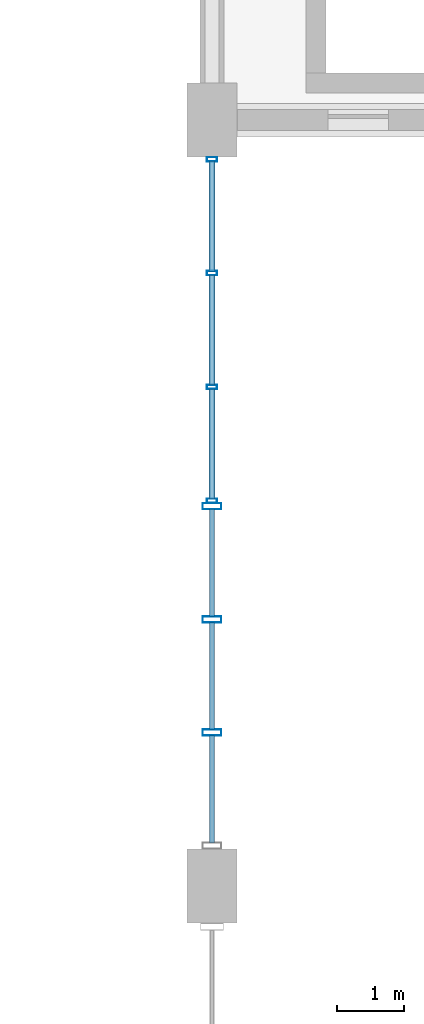
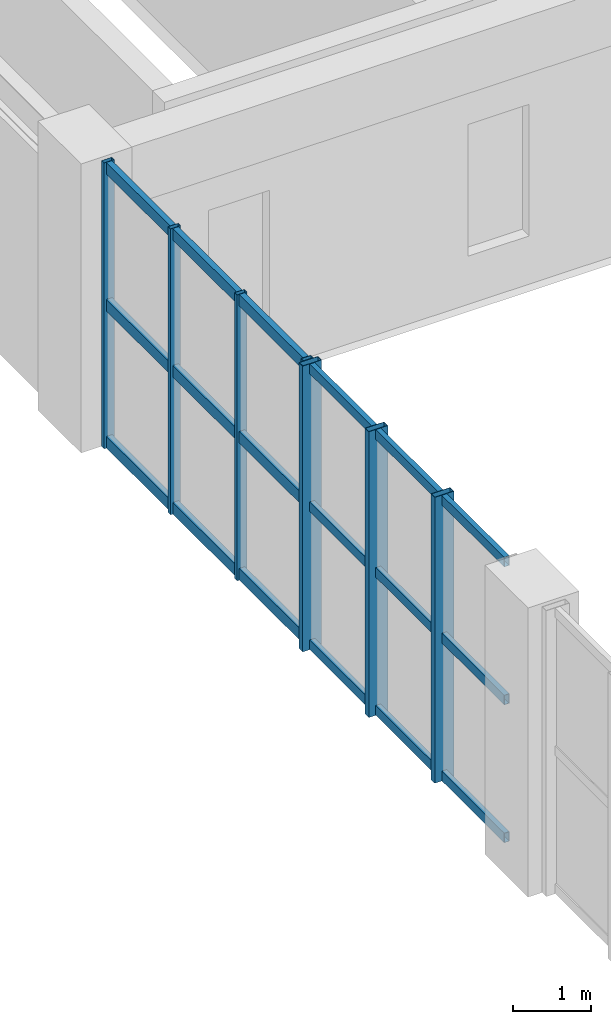
# One storey, part 16 of 48: 25 members, 2 elements without a shape of their own.
"""IFC4 building model written with IfcOpenShell, lengths in metres."""

from ifc_helpers import new_model, si_unit, direction, frame, origin, origin_2d, place, context, subcontext, project, spatial, hollow_rectangle, extrude, material, layer, layer_set, material_profile, profile_set, type_object, element, aggregate, save


model = new_model("IFC4")

# Units and contexts
model_context = context("Model", 3, precision=1e-05, world=origin(), true_north=direction((0.0, 1.0)))
body_context = subcontext(model_context, "Body", "Model", "MODEL_VIEW")
ifc_project = project(units=[si_unit("LENGTHUNIT", "METRE"), si_unit("AREAUNIT", "SQUARE_METRE"), si_unit("VOLUMEUNIT", "CUBIC_METRE"), si_unit("PLANEANGLEUNIT", "RADIAN"), si_unit("MASSUNIT", "GRAM", prefix="KILO"), si_unit("POWERUNIT", "WATT"), si_unit("THERMODYNAMICTEMPERATUREUNIT", "KELVIN")], contexts=[model_context])

# Site, building, storey
site_placement = place(None, origin())
site = spatial("IfcSite", under=ifc_project, at=site_placement, CompositionType="ELEMENT")
building_placement = place(site_placement, origin())
building = spatial("IfcBuilding", under=site, at=building_placement, Name="Kelmbourne Parkland Aquatics Centre", CompositionType="ELEMENT")
storey_placement = place(building_placement, frame((0.0, 0.0, 14.699951171875)))
storey = spatial("IfcBuildingStorey", under=building, at=storey_placement, Name="L03", CompositionType="ELEMENT", Elevation=14.699951171875)

# Curtain wall, members
ifc_material = material(Name="Thermally broken anodised aluminium framing", Category="aluminium")
ifc_layer_1 = layer(ifc_material, 0.179931640625)
ifc_layer_set_1 = layer_set([ifc_layer_1], Name="Thermally broken anodised aluminium framing")
curtain_wall_type_1 = type_object("IfcCurtainWallType", Name="CW-23", PredefinedType="NOTDEFINED", material=ifc_layer_set_1)
curtain_wall_1_placement = place(storey_placement, origin())
curtain_wall_1 = element("IfcCurtainWall", 1, at=curtain_wall_1_placement, inside=storey, type_object=curtain_wall_type_1, Name="Wave-hall clerestory curtain wall CW-L03-095", PredefinedType="NOTDEFINED")
ifc_material_profile_1 = material_profile(ifc_material, hollow_rectangle(XDim=0.06494140625, YDim=0.14990234375, WallThickness=0.00390625, at=origin_2d()), Name="CW-M 65x150")
ifc_profile_set_1 = profile_set([ifc_material_profile_1], Name="Thermally broken anodised aluminium framing")
member_type_1 = type_object("IfcMemberType", Name="MB-MUL-1", PredefinedType="MULLION", material=ifc_profile_set_1)
member_1_placement = place(storey_placement, frame((128.0, 97.732421875, 0.0), z_axis=(0.0, 0.0, 1.0), x_axis=(0.0, 1.0, 0.0)))
member_1 = element("IfcMember", 2, at=member_1_placement, type_object=member_type_1, Name="CW-L03-095 mullion 0", PredefinedType="MULLION", context=body_context, shape_type="SweptSolid", body=[
    extrude(hollow_rectangle(XDim=0.06494140625, YDim=0.14990234375, WallThickness=0.00390625, at=origin_2d()), origin(), (0.0, 0.0, 1.0), 4.449951171875),
])
member_2_placement = place(storey_placement, frame((128.0, 99.4267578125, 0.0), z_axis=(0.0, 0.0, 1.0), x_axis=(0.0, 1.0, 0.0)))
member_2 = element("IfcMember", 3, at=member_2_placement, type_object=member_type_1, Name="CW-L03-095 mullion 1", PredefinedType="MULLION", context=body_context, shape_type="SweptSolid", body=[
    extrude(hollow_rectangle(XDim=0.06494140625, YDim=0.14990234375, WallThickness=0.00390625, at=origin_2d()), origin(), (0.0, 0.0, 1.0), 4.449951171875),
])
member_3_placement = place(storey_placement, frame((128.0, 101.12109375, 0.0), z_axis=(0.0, 0.0, 1.0), x_axis=(0.0, 1.0, 0.0)))
member_3 = element("IfcMember", 4, at=member_3_placement, type_object=member_type_1, Name="CW-L03-095 mullion 2", PredefinedType="MULLION", context=body_context, shape_type="SweptSolid", body=[
    extrude(hollow_rectangle(XDim=0.06494140625, YDim=0.14990234375, WallThickness=0.00390625, at=origin_2d()), origin(), (0.0, 0.0, 1.0), 4.449951171875),
])
member_4_placement = place(storey_placement, frame((128.0, 102.8154296875, 0.0), z_axis=(0.0, 0.0, 1.0), x_axis=(0.0, 1.0, 0.0)))
member_4 = element("IfcMember", 5, at=member_4_placement, type_object=member_type_1, Name="CW-L03-095 mullion 3", PredefinedType="MULLION", context=body_context, shape_type="SweptSolid", body=[
    extrude(hollow_rectangle(XDim=0.06494140625, YDim=0.14990234375, WallThickness=0.00390625, at=origin_2d()), origin(), (0.0, 0.0, 1.0), 4.449951171875),
])

ifc_layer_2 = layer(ifc_material, 0.179931640625)
ifc_layer_set_2 = layer_set([ifc_layer_2], Name="Thermally broken anodised aluminium framing")
curtain_wall_type_2 = type_object("IfcCurtainWallType", Name="CW-16", PredefinedType="NOTDEFINED", material=ifc_layer_set_2)
curtain_wall_2_placement = place(storey_placement, origin())
curtain_wall_2 = element("IfcCurtainWall", 6, at=curtain_wall_2_placement, inside=storey, type_object=curtain_wall_type_2, Name="Wave-hall clerestory curtain wall CW-L03-088", PredefinedType="NOTDEFINED")
ifc_material_profile_2 = material_profile(ifc_material, hollow_rectangle(XDim=0.094970703125, YDim=0.280029296875, WallThickness=0.005615234375, at=origin_2d()), Name="CW-M 95x280")
ifc_profile_set_2 = profile_set([ifc_material_profile_2], Name="Thermally broken anodised aluminium framing")
member_type_2 = type_object("IfcMemberType", Name="MB-MUL-4", PredefinedType="MULLION", material=ifc_profile_set_2)
member_5_placement = place(storey_placement, frame((128.0, 94.28369140625, 0.0), z_axis=(0.0, 0.0, 1.0), x_axis=(0.0, 1.0, 0.0)))
member_5 = element("IfcMember", 7, at=member_5_placement, type_object=member_type_2, Name="CW-L03-088 mullion 1", PredefinedType="MULLION", context=body_context, shape_type="SweptSolid", body=[
    extrude(hollow_rectangle(XDim=0.094970703125, YDim=0.280029296875, WallThickness=0.005615234375, at=origin_2d()), origin(), (0.0, 0.0, 1.0), 4.449951171875),
])
member_6_placement = place(storey_placement, frame((128.0, 95.96826171875, 0.0), z_axis=(0.0, 0.0, 1.0), x_axis=(0.0, 1.0, 0.0)))
member_6 = element("IfcMember", 8, at=member_6_placement, type_object=member_type_2, Name="CW-L03-088 mullion 2", PredefinedType="MULLION", context=body_context, shape_type="SweptSolid", body=[
    extrude(hollow_rectangle(XDim=0.094970703125, YDim=0.280029296875, WallThickness=0.005615234375, at=origin_2d()), origin(), (0.0, 0.0, 1.0), 4.449951171875),
])
member_7_placement = place(storey_placement, frame((128.0, 97.652587890625, 0.0), z_axis=(0.0, 0.0, 1.0), x_axis=(0.0, 1.0, 0.0)))
member_7 = element("IfcMember", 9, at=member_7_placement, type_object=member_type_2, Name="CW-L03-088 mullion 3", PredefinedType="MULLION", context=body_context, shape_type="SweptSolid", body=[
    extrude(hollow_rectangle(XDim=0.094970703125, YDim=0.280029296875, WallThickness=0.005615234375, at=origin_2d()), origin(), (0.0, 0.0, 1.0), 4.449951171875),
])
ifc_material_profile_3 = material_profile(ifc_material, hollow_rectangle(XDim=0.074951171875, YDim=0.14990234375, WallThickness=0.00390625, at=origin_2d()), Name="CW-T 75x150")
ifc_profile_set_3 = profile_set([ifc_material_profile_3], Name="Thermally broken anodised aluminium framing")
member_type_3 = type_object("IfcMemberType", Name="MB-TRN-2", PredefinedType="USERDEFINED", material=ifc_profile_set_3)
member_8_placement = place(storey_placement, frame((128.0, 92.64306640625, 0.078125), z_axis=(0.0, 1.0, 0.0), x_axis=(-1.0, 0.0, 0.0)))
member_8 = element("IfcMember", 10, at=member_8_placement, type_object=member_type_3, Name="CW-L03-088 transom 0-0", ObjectType="TRANSOM", PredefinedType="USERDEFINED", context=body_context, shape_type="SweptSolid", body=[
    extrude(hollow_rectangle(XDim=0.074951171875, YDim=0.14990234375, WallThickness=0.00390625, at=origin_2d()), origin(), (0.0, 0.0, 1.0), 1.59716796875),
])
member_9_placement = place(storey_placement, frame((128.0, 94.327392578125, 0.078125), z_axis=(0.0, 1.0, 0.0), x_axis=(-1.0, 0.0, 0.0)))
member_9 = element("IfcMember", 11, at=member_9_placement, type_object=member_type_3, Name="CW-L03-088 transom 0-1", ObjectType="TRANSOM", PredefinedType="USERDEFINED", context=body_context, shape_type="SweptSolid", body=[
    extrude(hollow_rectangle(XDim=0.074951171875, YDim=0.14990234375, WallThickness=0.00390625, at=origin_2d()), origin(), (0.0, 0.0, 1.0), 1.597412109375),
])
member_10_placement = place(storey_placement, frame((128.0, 96.01171875, 0.078125), z_axis=(0.0, 1.0, 0.0), x_axis=(-1.0, 0.0, 0.0)))
member_10 = element("IfcMember", 12, at=member_10_placement, type_object=member_type_3, Name="CW-L03-088 transom 0-2", ObjectType="TRANSOM", PredefinedType="USERDEFINED", context=body_context, shape_type="SweptSolid", body=[
    extrude(hollow_rectangle(XDim=0.074951171875, YDim=0.14990234375, WallThickness=0.00390625, at=origin_2d()), origin(), (0.0, 0.0, 1.0), 1.59716796875),
])
member_11_placement = place(storey_placement, frame((128.0, 92.64306640625, 2.22509765625), z_axis=(0.0, 1.0, 0.0), x_axis=(-1.0, 0.0, 0.0)))
member_11 = element("IfcMember", 13, at=member_11_placement, type_object=member_type_3, Name="CW-L03-088 transom 1-0", ObjectType="TRANSOM", PredefinedType="USERDEFINED", context=body_context, shape_type="SweptSolid", body=[
    extrude(hollow_rectangle(XDim=0.074951171875, YDim=0.14990234375, WallThickness=0.00390625, at=origin_2d()), origin(), (0.0, 0.0, 1.0), 1.59716796875),
])
member_12_placement = place(storey_placement, frame((128.0, 94.327392578125, 2.22509765625), z_axis=(0.0, 1.0, 0.0), x_axis=(-1.0, 0.0, 0.0)))
member_12 = element("IfcMember", 14, at=member_12_placement, type_object=member_type_3, Name="CW-L03-088 transom 1-1", ObjectType="TRANSOM", PredefinedType="USERDEFINED", context=body_context, shape_type="SweptSolid", body=[
    extrude(hollow_rectangle(XDim=0.074951171875, YDim=0.14990234375, WallThickness=0.00390625, at=origin_2d()), origin(), (0.0, 0.0, 1.0), 1.597412109375),
])
member_13_placement = place(storey_placement, frame((128.0, 96.01171875, 2.22509765625), z_axis=(0.0, 1.0, 0.0), x_axis=(-1.0, 0.0, 0.0)))
member_13 = element("IfcMember", 15, at=member_13_placement, type_object=member_type_3, Name="CW-L03-088 transom 1-2", ObjectType="TRANSOM", PredefinedType="USERDEFINED", context=body_context, shape_type="SweptSolid", body=[
    extrude(hollow_rectangle(XDim=0.074951171875, YDim=0.14990234375, WallThickness=0.00390625, at=origin_2d()), origin(), (0.0, 0.0, 1.0), 1.59716796875),
])
member_14_placement = place(storey_placement, frame((128.0, 92.64306640625, 4.3720703125), z_axis=(0.0, 1.0, 0.0), x_axis=(-1.0, 0.0, 0.0)))
member_14 = element("IfcMember", 16, at=member_14_placement, type_object=member_type_3, Name="CW-L03-088 transom 2-0", ObjectType="TRANSOM", PredefinedType="USERDEFINED", context=body_context, shape_type="SweptSolid", body=[
    extrude(hollow_rectangle(XDim=0.074951171875, YDim=0.14990234375, WallThickness=0.00390625, at=origin_2d()), origin(), (0.0, 0.0, 1.0), 1.59716796875),
])
member_15_placement = place(storey_placement, frame((128.0, 94.327392578125, 4.3720703125), z_axis=(0.0, 1.0, 0.0), x_axis=(-1.0, 0.0, 0.0)))
member_15 = element("IfcMember", 17, at=member_15_placement, type_object=member_type_3, Name="CW-L03-088 transom 2-1", ObjectType="TRANSOM", PredefinedType="USERDEFINED", context=body_context, shape_type="SweptSolid", body=[
    extrude(hollow_rectangle(XDim=0.074951171875, YDim=0.14990234375, WallThickness=0.00390625, at=origin_2d()), origin(), (0.0, 0.0, 1.0), 1.597412109375),
])
member_16_placement = place(storey_placement, frame((128.0, 96.01171875, 4.3720703125), z_axis=(0.0, 1.0, 0.0), x_axis=(-1.0, 0.0, 0.0)))
member_16 = element("IfcMember", 18, at=member_16_placement, type_object=member_type_3, Name="CW-L03-088 transom 2-2", ObjectType="TRANSOM", PredefinedType="USERDEFINED", context=body_context, shape_type="SweptSolid", body=[
    extrude(hollow_rectangle(XDim=0.074951171875, YDim=0.14990234375, WallThickness=0.00390625, at=origin_2d()), origin(), (0.0, 0.0, 1.0), 1.59716796875),
])
aggregate(curtain_wall_2, [member_5, member_6, member_7, member_8, member_9, member_10, member_11, member_12, member_13, member_14, member_15, member_16])

# Member
ifc_material_profile_4 = material_profile(ifc_material, hollow_rectangle(XDim=0.0849609375, YDim=0.179931640625, WallThickness=0.00439453125, at=origin_2d()), Name="CW-T 85x180")
ifc_profile_set_4 = profile_set([ifc_material_profile_4], Name="Thermally broken anodised aluminium framing")
member_type_4 = type_object("IfcMemberType", Name="MB-TRN-3", PredefinedType="USERDEFINED", material=ifc_profile_set_4)
member_17_placement = place(storey_placement, frame((128.0, 97.760986328125, 0.093017578125), z_axis=(0.0, 1.0, 0.0), x_axis=(-1.0, 0.0, 0.0)))
member_17 = element("IfcMember", 19, at=member_17_placement, type_object=member_type_4, Name="CW-L03-095 transom 0-0", ObjectType="TRANSOM", PredefinedType="USERDEFINED", context=body_context, shape_type="SweptSolid", body=[
    extrude(hollow_rectangle(XDim=0.0849609375, YDim=0.179931640625, WallThickness=0.00439453125, at=origin_2d()), origin(), (0.0, 0.0, 1.0), 1.63720703125),
])

member_18_placement = place(storey_placement, frame((128.0, 99.455322265625, 0.093017578125), z_axis=(0.0, 1.0, 0.0), x_axis=(-1.0, 0.0, 0.0)))
member_18 = element("IfcMember", 20, at=member_18_placement, type_object=member_type_4, Name="CW-L03-095 transom 0-1", ObjectType="TRANSOM", PredefinedType="USERDEFINED", context=body_context, shape_type="SweptSolid", body=[
    extrude(hollow_rectangle(XDim=0.0849609375, YDim=0.179931640625, WallThickness=0.00439453125, at=origin_2d()), origin(), (0.0, 0.0, 1.0), 1.637451171875),
])

member_19_placement = place(storey_placement, frame((128.0, 101.149658203125, 0.093017578125), z_axis=(0.0, 1.0, 0.0), x_axis=(-1.0, 0.0, 0.0)))
member_19 = element("IfcMember", 21, at=member_19_placement, type_object=member_type_4, Name="CW-L03-095 transom 0-2", ObjectType="TRANSOM", PredefinedType="USERDEFINED", context=body_context, shape_type="SweptSolid", body=[
    extrude(hollow_rectangle(XDim=0.0849609375, YDim=0.179931640625, WallThickness=0.00439453125, at=origin_2d()), origin(), (0.0, 0.0, 1.0), 1.637451171875),
])

member_20_placement = place(storey_placement, frame((128.0, 97.760986328125, 2.22509765625), z_axis=(0.0, 1.0, 0.0), x_axis=(-1.0, 0.0, 0.0)))
member_20 = element("IfcMember", 22, at=member_20_placement, type_object=member_type_4, Name="CW-L03-095 transom 1-0", ObjectType="TRANSOM", PredefinedType="USERDEFINED", context=body_context, shape_type="SweptSolid", body=[
    extrude(hollow_rectangle(XDim=0.0849609375, YDim=0.179931640625, WallThickness=0.00439453125, at=origin_2d()), origin(), (0.0, 0.0, 1.0), 1.63720703125),
])

member_21_placement = place(storey_placement, frame((128.0, 99.455322265625, 2.22509765625), z_axis=(0.0, 1.0, 0.0), x_axis=(-1.0, 0.0, 0.0)))
member_21 = element("IfcMember", 23, at=member_21_placement, type_object=member_type_4, Name="CW-L03-095 transom 1-1", ObjectType="TRANSOM", PredefinedType="USERDEFINED", context=body_context, shape_type="SweptSolid", body=[
    extrude(hollow_rectangle(XDim=0.0849609375, YDim=0.179931640625, WallThickness=0.00439453125, at=origin_2d()), origin(), (0.0, 0.0, 1.0), 1.637451171875),
])

member_22_placement = place(storey_placement, frame((128.0, 101.149658203125, 2.22509765625), z_axis=(0.0, 1.0, 0.0), x_axis=(-1.0, 0.0, 0.0)))
member_22 = element("IfcMember", 24, at=member_22_placement, type_object=member_type_4, Name="CW-L03-095 transom 1-2", ObjectType="TRANSOM", PredefinedType="USERDEFINED", context=body_context, shape_type="SweptSolid", body=[
    extrude(hollow_rectangle(XDim=0.0849609375, YDim=0.179931640625, WallThickness=0.00439453125, at=origin_2d()), origin(), (0.0, 0.0, 1.0), 1.637451171875),
])

member_23_placement = place(storey_placement, frame((128.0, 97.760986328125, 4.35693359375), z_axis=(0.0, 1.0, 0.0), x_axis=(-1.0, 0.0, 0.0)))
member_23 = element("IfcMember", 25, at=member_23_placement, type_object=member_type_4, Name="CW-L03-095 transom 2-0", ObjectType="TRANSOM", PredefinedType="USERDEFINED", context=body_context, shape_type="SweptSolid", body=[
    extrude(hollow_rectangle(XDim=0.0849609375, YDim=0.179931640625, WallThickness=0.00439453125, at=origin_2d()), origin(), (0.0, 0.0, 1.0), 1.63720703125),
])

member_24_placement = place(storey_placement, frame((128.0, 99.455322265625, 4.35693359375), z_axis=(0.0, 1.0, 0.0), x_axis=(-1.0, 0.0, 0.0)))
member_24 = element("IfcMember", 26, at=member_24_placement, type_object=member_type_4, Name="CW-L03-095 transom 2-1", ObjectType="TRANSOM", PredefinedType="USERDEFINED", context=body_context, shape_type="SweptSolid", body=[
    extrude(hollow_rectangle(XDim=0.0849609375, YDim=0.179931640625, WallThickness=0.00439453125, at=origin_2d()), origin(), (0.0, 0.0, 1.0), 1.637451171875),
])

member_25_placement = place(storey_placement, frame((128.0, 101.149658203125, 4.35693359375), z_axis=(0.0, 1.0, 0.0), x_axis=(-1.0, 0.0, 0.0)))
member_25 = element("IfcMember", 27, at=member_25_placement, type_object=member_type_4, Name="CW-L03-095 transom 2-2", ObjectType="TRANSOM", PredefinedType="USERDEFINED", context=body_context, shape_type="SweptSolid", body=[
    extrude(hollow_rectangle(XDim=0.0849609375, YDim=0.179931640625, WallThickness=0.00439453125, at=origin_2d()), origin(), (0.0, 0.0, 1.0), 1.637451171875),
])

aggregate(curtain_wall_1, [member_1, member_2, member_3, member_4, member_17, member_18, member_19, member_20, member_21, member_22, member_23, member_24, member_25])

save(model, "model.ifc")
